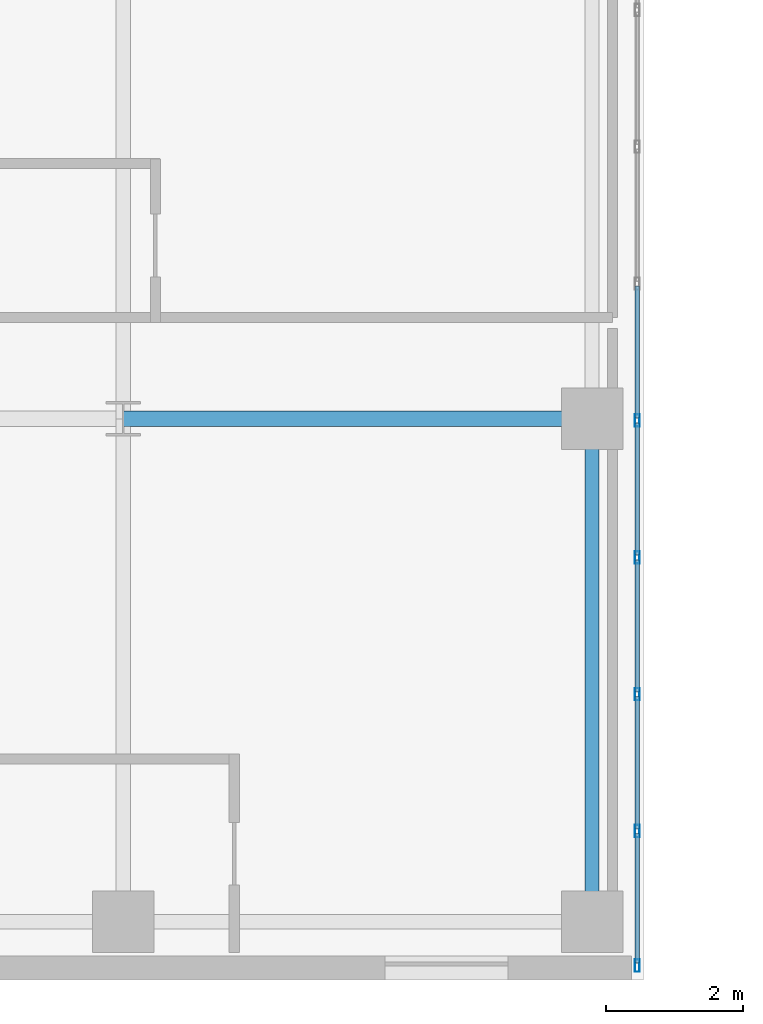
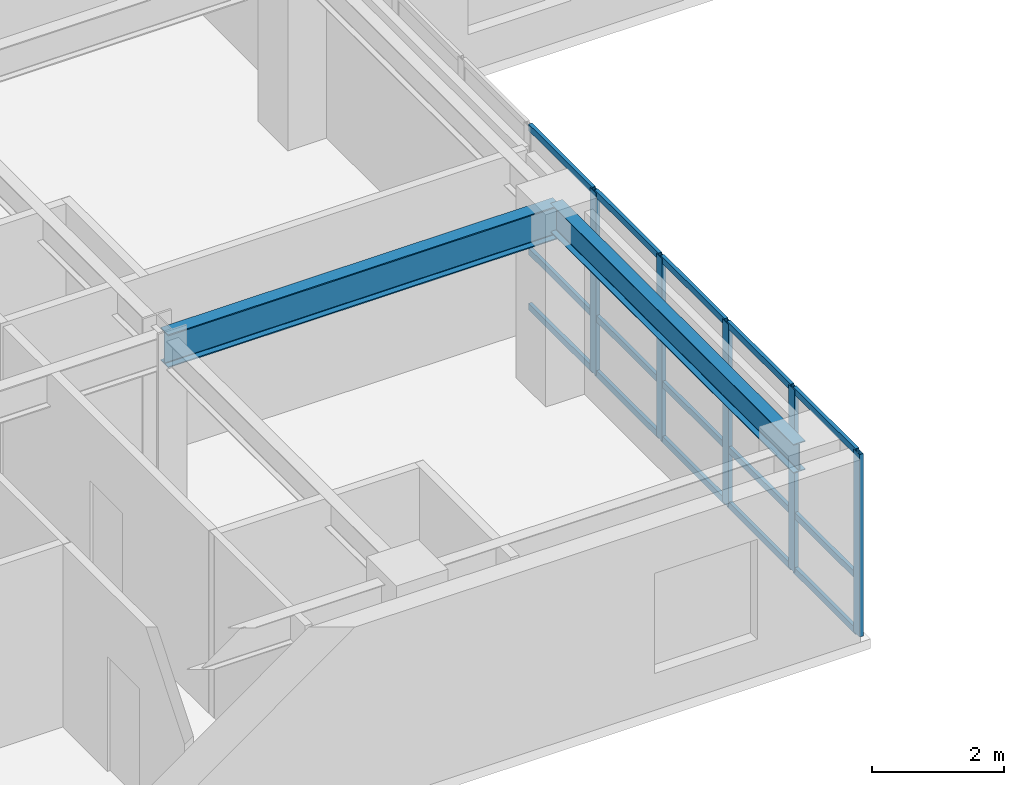
# One storey, part 2 of 16: 20 members, 2 beams, 1 element without a shape of its own.
"""IFC4 building model written with IfcOpenShell, lengths in metres."""

from ifc_helpers import new_model, si_unit, direction, frame, origin, origin_2d, place, context, subcontext, project, spatial, hollow_rectangle, i_section, extrude, source, transform, mapped, material, layer, layer_set, material_profile, profile_set, type_object, type_shapes, element, aggregate, save


model = new_model("IFC4")

# Units and contexts
model_context = context("Model", 3, precision=1e-05, world=origin(), true_north=direction((0.0, 1.0)))
body_context = subcontext(model_context, "Body", "Model", "MODEL_VIEW")
ifc_project = project(units=[si_unit("LENGTHUNIT", "METRE"), si_unit("AREAUNIT", "SQUARE_METRE"), si_unit("VOLUMEUNIT", "CUBIC_METRE"), si_unit("PLANEANGLEUNIT", "RADIAN"), si_unit("MASSUNIT", "GRAM", prefix="KILO")], contexts=[model_context])

# Site, building, storey
site_placement = place(None, origin())
site = spatial("IfcSite", under=ifc_project, at=site_placement, CompositionType="ELEMENT")
building_placement = place(site_placement, origin())
building = spatial("IfcBuilding", under=site, at=building_placement, Name="Tolvann Quenvar Hotel", CompositionType="ELEMENT")
storey_placement = place(building_placement, frame((0.0, 0.0, 115.10009765625)))
storey = spatial("IfcBuildingStorey", under=building, at=storey_placement, Name="L29", CompositionType="ELEMENT", Elevation=115.10009765625)

# Beams
ifc_material_1 = material(Name="Steel Grade 350", Category="steel")
ifc_material_profile_1 = material_profile(ifc_material_1, i_section(OverallWidth=0.22900390625, OverallDepth=0.612060546875, WebThickness=0.011962890625, FlangeThickness=0.01953125, FilletRadius=0.013916015625, at=origin_2d()), Name="610UB125")
ifc_profile_set_1 = profile_set([ifc_material_profile_1], Name="Steel Grade 350")
beam_type_1 = type_object("IfcBeamType", Name="BM_GIRD_610UB125", PredefinedType="BEAM", material=ifc_profile_set_1)
shared_shape_1 = source(origin(), body_context, "Body", "SweptSolid", [
    extrude(i_section(OverallWidth=0.22900390625, OverallDepth=0.612060546875, WebThickness=0.011962890625, FlangeThickness=0.01953125, FilletRadius=0.013916015625, at=origin_2d()), origin(), (0.0, 0.0, 1.0), 6.85009765625),
])
type_shapes(beam_type_1, [shared_shape_1])
beam_1_placement = place(storey_placement, frame((15.199951171875, 8.199951171875, 3.06396484375), z_axis=(1.0, 0.0, 0.0), x_axis=(0.0, 1.0, 0.0)))
element("IfcBeam", 1, at=beam_1_placement, inside=storey, type_object=beam_type_1, Name="BM-L29-EW-3-D3-E3", PredefinedType="BEAM", context=body_context, shape_type="MappedRepresentation", body=[
    mapped(shared_shape_1, transform((0.0, 0.0, 0.0), x_axis=(1.0, 0.0, 0.0), y_axis=(0.0, 1.0, 0.0), z_axis=(0.0, 0.0, 1.0), scale=1.0)),
])
ifc_material_profile_2 = material_profile(ifc_material_1, i_section(OverallWidth=0.208984375, OverallDepth=0.532958984375, WebThickness=0.01025390625, FlangeThickness=0.015625, FilletRadius=0.013916015625, at=origin_2d()), Name="530UB92")
ifc_profile_set_2 = profile_set([ifc_material_profile_2], Name="Steel Grade 350")
beam_type_2 = type_object("IfcBeamType", Name="BM_GIRD_530UB92", PredefinedType="BEAM", material=ifc_profile_set_2)
shared_shape_2 = source(origin(), body_context, "Body", "SweptSolid", [
    extrude(i_section(OverallWidth=0.208984375, OverallDepth=0.532958984375, WebThickness=0.01025390625, FlangeThickness=0.015625, FilletRadius=0.013916015625, at=origin_2d()), origin(), (0.0, 0.0, 1.0), 7.349853515625),
])
type_shapes(beam_type_2, [shared_shape_2])
beam_2_placement = place(storey_placement, frame((22.050048828125, 0.85009765625, 3.103515625), z_axis=(0.0, 1.0, 0.0), x_axis=(-1.0, 0.0, 0.0)))
element("IfcBeam", 2, at=beam_2_placement, inside=storey, type_object=beam_type_2, Name="BM-L29-NS-E2-E3", PredefinedType="BEAM", context=body_context, shape_type="MappedRepresentation", body=[
    mapped(shared_shape_2, transform((0.0, 0.0, 0.0), x_axis=(1.0, 0.0, 0.0), y_axis=(0.0, 1.0, 0.0), z_axis=(0.0, 0.0, 1.0), scale=1.0)),
])

# Curtain wall, members
ifc_material_2 = material(Name="Thermally broken anodised architectural aluminium 6063-T6 and laminated low-E glass", Category="aluminium")
ifc_layer = layer(ifc_material_2, 0.179931640625)
ifc_layer_set = layer_set([ifc_layer], Name="Thermally broken anodised architectural aluminium 6063-T6 and laminated low-E glass")
curtain_wall_type = type_object("IfcCurtainWallType", Name="CW_SYS_SLOT_03", PredefinedType="USERDEFINED", material=ifc_layer_set)
curtain_wall_placement = place(storey_placement, origin())
curtain_wall = element("IfcCurtainWall", 3, at=curtain_wall_placement, inside=storey, type_object=curtain_wall_type, Name="Curtain Wall CW-SLOT-03 (CWR-L29-E05)", ObjectType="UNITISED CURTAIN WALL", PredefinedType="USERDEFINED")
ifc_material_3 = material(Name="Anodised architectural aluminium 6063-T6 framing", Category="aluminium")
ifc_material_profile_3 = material_profile(ifc_material_3, hollow_rectangle(XDim=0.06005859375, YDim=0.1201171875, WallThickness=0.00341796875, at=origin_2d()), Name="120x60x3.5RHS")
ifc_profile_set_3 = profile_set([ifc_material_profile_3], Name="Anodised architectural aluminium 6063-T6 framing")
member_type_1 = type_object("IfcMemberType", Name="CW_TRAN_120x60", PredefinedType="USERDEFINED", material=ifc_profile_set_3)
shared_shape_3 = source(origin(), body_context, "Body", "SweptSolid", [
    extrude(hollow_rectangle(XDim=0.06005859375, YDim=0.1201171875, WallThickness=0.00341796875, at=origin_2d()), origin(), (0.0, 0.0, 1.0), 1.894775390625),
])
member_1_placement = place(storey_placement, frame((22.7099609375, 0.2451171875, 0.02978515625), z_axis=(0.0, 1.0, 0.0), x_axis=(-1.0, 0.0, 0.0)))
member_1 = element("IfcMember", 4, at=member_1_placement, type_object=member_type_1, Name="CW-SLOT-03 transom 1.1", ObjectType="TRANSOM", PredefinedType="USERDEFINED", context=body_context, shape_type="MappedRepresentation", body=[
    mapped(shared_shape_3, transform((0.0, 0.0, 0.0), x_axis=(1.0, 0.0, 0.0), y_axis=(0.0, 1.0, 0.0), z_axis=(0.0, 0.0, 1.0), scale=1.0)),
])
member_2_placement = place(storey_placement, frame((22.7099609375, 0.2451171875, 1.0498046875), z_axis=(0.0, 1.0, 0.0), x_axis=(-1.0, 0.0, 0.0)))
member_2 = element("IfcMember", 5, at=member_2_placement, type_object=member_type_1, Name="CW-SLOT-03 transom 1.2", ObjectType="TRANSOM", PredefinedType="USERDEFINED", context=body_context, shape_type="MappedRepresentation", body=[
    mapped(shared_shape_3, transform((0.0, 0.0, 0.0), x_axis=(1.0, 0.0, 0.0), y_axis=(0.0, 1.0, 0.0), z_axis=(0.0, 0.0, 1.0), scale=1.0)),
])
member_3_placement = place(storey_placement, frame((22.7099609375, 0.2451171875, 3.33984375), z_axis=(0.0, 1.0, 0.0), x_axis=(-1.0, 0.0, 0.0)))
member_3 = element("IfcMember", 6, at=member_3_placement, type_object=member_type_1, Name="CW-SLOT-03 transom 1.3", ObjectType="TRANSOM", PredefinedType="USERDEFINED", context=body_context, shape_type="MappedRepresentation", body=[
    mapped(shared_shape_3, transform((0.0, 0.0, 0.0), x_axis=(1.0, 0.0, 0.0), y_axis=(0.0, 1.0, 0.0), z_axis=(0.0, 0.0, 1.0), scale=1.0)),
])
shared_shape_4 = source(origin(), body_context, "Body", "SweptSolid", [
    extrude(hollow_rectangle(XDim=0.06005859375, YDim=0.1201171875, WallThickness=0.00341796875, at=origin_2d()), origin(), (0.0, 0.0, 1.0), 1.929931640625),
])
type_shapes(member_type_1, [shared_shape_3, shared_shape_4])
member_4_placement = place(storey_placement, frame((22.7099609375, 2.2099609375, 0.02978515625), z_axis=(0.0, 1.0, 0.0), x_axis=(-1.0, 0.0, 0.0)))
member_4 = element("IfcMember", 7, at=member_4_placement, type_object=member_type_1, Name="CW-SLOT-03 transom 2.1", ObjectType="TRANSOM", PredefinedType="USERDEFINED", context=body_context, shape_type="MappedRepresentation", body=[
    mapped(shared_shape_4, transform((0.0, 0.0, 0.0), x_axis=(1.0, 0.0, 0.0), y_axis=(0.0, 1.0, 0.0), z_axis=(0.0, 0.0, 1.0), scale=1.0)),
])
member_5_placement = place(storey_placement, frame((22.7099609375, 2.2099609375, 1.0498046875), z_axis=(0.0, 1.0, 0.0), x_axis=(-1.0, 0.0, 0.0)))
member_5 = element("IfcMember", 8, at=member_5_placement, type_object=member_type_1, Name="CW-SLOT-03 transom 2.2", ObjectType="TRANSOM", PredefinedType="USERDEFINED", context=body_context, shape_type="MappedRepresentation", body=[
    mapped(shared_shape_4, transform((0.0, 0.0, 0.0), x_axis=(1.0, 0.0, 0.0), y_axis=(0.0, 1.0, 0.0), z_axis=(0.0, 0.0, 1.0), scale=1.0)),
])
member_6_placement = place(storey_placement, frame((22.7099609375, 2.2099609375, 3.33984375), z_axis=(0.0, 1.0, 0.0), x_axis=(-1.0, 0.0, 0.0)))
member_6 = element("IfcMember", 9, at=member_6_placement, type_object=member_type_1, Name="CW-SLOT-03 transom 2.3", ObjectType="TRANSOM", PredefinedType="USERDEFINED", context=body_context, shape_type="MappedRepresentation", body=[
    mapped(shared_shape_4, transform((0.0, 0.0, 0.0), x_axis=(1.0, 0.0, 0.0), y_axis=(0.0, 1.0, 0.0), z_axis=(0.0, 0.0, 1.0), scale=1.0)),
])
member_7_placement = place(storey_placement, frame((22.7099609375, 4.2099609375, 0.02978515625), z_axis=(0.0, 1.0, 0.0), x_axis=(-1.0, 0.0, 0.0)))
member_7 = element("IfcMember", 10, at=member_7_placement, type_object=member_type_1, Name="CW-SLOT-03 transom 3.1", ObjectType="TRANSOM", PredefinedType="USERDEFINED", context=body_context, shape_type="MappedRepresentation", body=[
    mapped(shared_shape_4, transform((0.0, 0.0, 0.0), x_axis=(1.0, 0.0, 0.0), y_axis=(0.0, 1.0, 0.0), z_axis=(0.0, 0.0, 1.0), scale=1.0)),
])
member_8_placement = place(storey_placement, frame((22.7099609375, 4.2099609375, 1.0498046875), z_axis=(0.0, 1.0, 0.0), x_axis=(-1.0, 0.0, 0.0)))
member_8 = element("IfcMember", 11, at=member_8_placement, type_object=member_type_1, Name="CW-SLOT-03 transom 3.2", ObjectType="TRANSOM", PredefinedType="USERDEFINED", context=body_context, shape_type="MappedRepresentation", body=[
    mapped(shared_shape_4, transform((0.0, 0.0, 0.0), x_axis=(1.0, 0.0, 0.0), y_axis=(0.0, 1.0, 0.0), z_axis=(0.0, 0.0, 1.0), scale=1.0)),
])
member_9_placement = place(storey_placement, frame((22.7099609375, 4.2099609375, 3.33984375), z_axis=(0.0, 1.0, 0.0), x_axis=(-1.0, 0.0, 0.0)))
member_9 = element("IfcMember", 12, at=member_9_placement, type_object=member_type_1, Name="CW-SLOT-03 transom 3.3", ObjectType="TRANSOM", PredefinedType="USERDEFINED", context=body_context, shape_type="MappedRepresentation", body=[
    mapped(shared_shape_4, transform((0.0, 0.0, 0.0), x_axis=(1.0, 0.0, 0.0), y_axis=(0.0, 1.0, 0.0), z_axis=(0.0, 0.0, 1.0), scale=1.0)),
])
member_10_placement = place(storey_placement, frame((22.7099609375, 6.2099609375, 0.02978515625), z_axis=(0.0, 1.0, 0.0), x_axis=(-1.0, 0.0, 0.0)))
member_10 = element("IfcMember", 13, at=member_10_placement, type_object=member_type_1, Name="CW-SLOT-03 transom 4.1", ObjectType="TRANSOM", PredefinedType="USERDEFINED", context=body_context, shape_type="MappedRepresentation", body=[
    mapped(shared_shape_4, transform((0.0, 0.0, 0.0), x_axis=(1.0, 0.0, 0.0), y_axis=(0.0, 1.0, 0.0), z_axis=(0.0, 0.0, 1.0), scale=1.0)),
])
member_11_placement = place(storey_placement, frame((22.7099609375, 6.2099609375, 1.0498046875), z_axis=(0.0, 1.0, 0.0), x_axis=(-1.0, 0.0, 0.0)))
member_11 = element("IfcMember", 14, at=member_11_placement, type_object=member_type_1, Name="CW-SLOT-03 transom 4.2", ObjectType="TRANSOM", PredefinedType="USERDEFINED", context=body_context, shape_type="MappedRepresentation", body=[
    mapped(shared_shape_4, transform((0.0, 0.0, 0.0), x_axis=(1.0, 0.0, 0.0), y_axis=(0.0, 1.0, 0.0), z_axis=(0.0, 0.0, 1.0), scale=1.0)),
])
member_12_placement = place(storey_placement, frame((22.7099609375, 6.2099609375, 3.33984375), z_axis=(0.0, 1.0, 0.0), x_axis=(-1.0, 0.0, 0.0)))
member_12 = element("IfcMember", 15, at=member_12_placement, type_object=member_type_1, Name="CW-SLOT-03 transom 4.3", ObjectType="TRANSOM", PredefinedType="USERDEFINED", context=body_context, shape_type="MappedRepresentation", body=[
    mapped(shared_shape_4, transform((0.0, 0.0, 0.0), x_axis=(1.0, 0.0, 0.0), y_axis=(0.0, 1.0, 0.0), z_axis=(0.0, 0.0, 1.0), scale=1.0)),
])
member_13_placement = place(storey_placement, frame((22.7099609375, 8.2099609375, 0.02978515625), z_axis=(0.0, 1.0, 0.0), x_axis=(-1.0, 0.0, 0.0)))
member_13 = element("IfcMember", 16, at=member_13_placement, type_object=member_type_1, Name="CW-SLOT-03 transom 5.1", ObjectType="TRANSOM", PredefinedType="USERDEFINED", context=body_context, shape_type="MappedRepresentation", body=[
    mapped(shared_shape_4, transform((0.0, 0.0, 0.0), x_axis=(1.0, 0.0, 0.0), y_axis=(0.0, 1.0, 0.0), z_axis=(0.0, 0.0, 1.0), scale=1.0)),
])
member_14_placement = place(storey_placement, frame((22.7099609375, 8.2099609375, 1.0498046875), z_axis=(0.0, 1.0, 0.0), x_axis=(-1.0, 0.0, 0.0)))
member_14 = element("IfcMember", 17, at=member_14_placement, type_object=member_type_1, Name="CW-SLOT-03 transom 5.2", ObjectType="TRANSOM", PredefinedType="USERDEFINED", context=body_context, shape_type="MappedRepresentation", body=[
    mapped(shared_shape_4, transform((0.0, 0.0, 0.0), x_axis=(1.0, 0.0, 0.0), y_axis=(0.0, 1.0, 0.0), z_axis=(0.0, 0.0, 1.0), scale=1.0)),
])
member_15_placement = place(storey_placement, frame((22.7099609375, 8.2099609375, 3.33984375), z_axis=(0.0, 1.0, 0.0), x_axis=(-1.0, 0.0, 0.0)))
member_15 = element("IfcMember", 18, at=member_15_placement, type_object=member_type_1, Name="CW-SLOT-03 transom 5.3", ObjectType="TRANSOM", PredefinedType="USERDEFINED", context=body_context, shape_type="MappedRepresentation", body=[
    mapped(shared_shape_4, transform((0.0, 0.0, 0.0), x_axis=(1.0, 0.0, 0.0), y_axis=(0.0, 1.0, 0.0), z_axis=(0.0, 0.0, 1.0), scale=1.0)),
])
ifc_material_profile_4 = material_profile(ifc_material_3, hollow_rectangle(XDim=0.070068359375, YDim=0.179931640625, WallThickness=0.00390625, at=origin_2d()), Name="180x70x4RHS")
ifc_profile_set_4 = profile_set([ifc_material_profile_4], Name="Anodised architectural aluminium 6063-T6 framing")
member_type_2 = type_object("IfcMemberType", Name="CW_MULL_180x70", PredefinedType="MULLION", material=ifc_profile_set_4)
shared_shape_5 = source(origin(), body_context, "Body", "SweptSolid", [
    extrude(hollow_rectangle(XDim=0.070068359375, YDim=0.179931640625, WallThickness=0.00390625, at=origin_2d()), origin(), (0.0, 0.0, 1.0), 3.369873046875),
])
type_shapes(member_type_2, [shared_shape_5])
member_16_placement = place(storey_placement, frame((22.7099609375, 0.2099609375, 0.0), z_axis=(0.0, 0.0, 1.0), x_axis=(-1.0, 0.0, 0.0)))
member_16 = element("IfcMember", 19, at=member_16_placement, type_object=member_type_2, Name="CW-SLOT-03 mullion 1", PredefinedType="MULLION", context=body_context, shape_type="MappedRepresentation", body=[
    mapped(shared_shape_5, transform((0.0, 0.0, 0.0), x_axis=(1.0, 0.0, 0.0), y_axis=(0.0, 1.0, 0.0), z_axis=(0.0, 0.0, 1.0), scale=1.0)),
])
member_17_placement = place(storey_placement, frame((22.7099609375, 2.175048828125, 0.0), z_axis=(0.0, 0.0, 1.0), x_axis=(-1.0, 0.0, 0.0)))
member_17 = element("IfcMember", 20, at=member_17_placement, type_object=member_type_2, Name="CW-SLOT-03 mullion 2", PredefinedType="MULLION", context=body_context, shape_type="MappedRepresentation", body=[
    mapped(shared_shape_5, transform((0.0, 0.0, 0.0), x_axis=(1.0, 0.0, 0.0), y_axis=(0.0, 1.0, 0.0), z_axis=(0.0, 0.0, 1.0), scale=1.0)),
])
member_18_placement = place(storey_placement, frame((22.7099609375, 4.175048828125, 0.0), z_axis=(0.0, 0.0, 1.0), x_axis=(-1.0, 0.0, 0.0)))
member_18 = element("IfcMember", 21, at=member_18_placement, type_object=member_type_2, Name="CW-SLOT-03 mullion 3", PredefinedType="MULLION", context=body_context, shape_type="MappedRepresentation", body=[
    mapped(shared_shape_5, transform((0.0, 0.0, 0.0), x_axis=(1.0, 0.0, 0.0), y_axis=(0.0, 1.0, 0.0), z_axis=(0.0, 0.0, 1.0), scale=1.0)),
])
member_19_placement = place(storey_placement, frame((22.7099609375, 6.175048828125, 0.0), z_axis=(0.0, 0.0, 1.0), x_axis=(-1.0, 0.0, 0.0)))
member_19 = element("IfcMember", 22, at=member_19_placement, type_object=member_type_2, Name="CW-SLOT-03 mullion 4", PredefinedType="MULLION", context=body_context, shape_type="MappedRepresentation", body=[
    mapped(shared_shape_5, transform((0.0, 0.0, 0.0), x_axis=(1.0, 0.0, 0.0), y_axis=(0.0, 1.0, 0.0), z_axis=(0.0, 0.0, 1.0), scale=1.0)),
])
member_20_placement = place(storey_placement, frame((22.7099609375, 8.175048828125, 0.0), z_axis=(0.0, 0.0, 1.0), x_axis=(-1.0, 0.0, 0.0)))
member_20 = element("IfcMember", 23, at=member_20_placement, type_object=member_type_2, Name="CW-SLOT-03 mullion 5", PredefinedType="MULLION", context=body_context, shape_type="MappedRepresentation", body=[
    mapped(shared_shape_5, transform((0.0, 0.0, 0.0), x_axis=(1.0, 0.0, 0.0), y_axis=(0.0, 1.0, 0.0), z_axis=(0.0, 0.0, 1.0), scale=1.0)),
])
aggregate(curtain_wall, [member_16, member_17, member_18, member_19, member_20, member_1, member_2, member_3, member_4, member_5, member_6, member_7, member_8, member_9, member_10, member_11, member_12, member_13, member_14, member_15])

save(model, "model.ifc")
